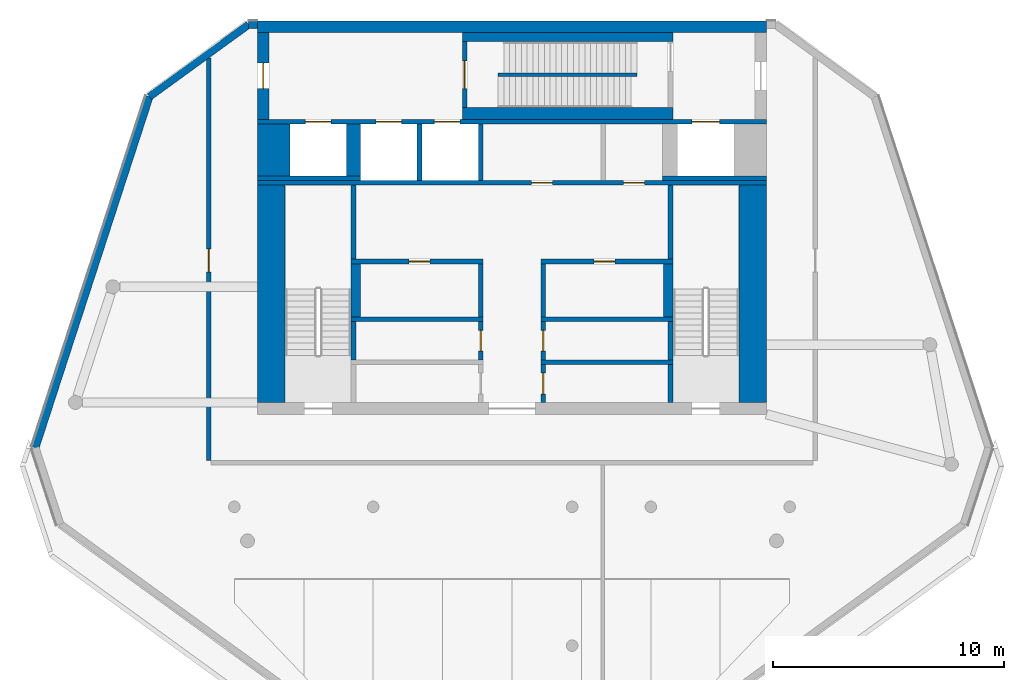
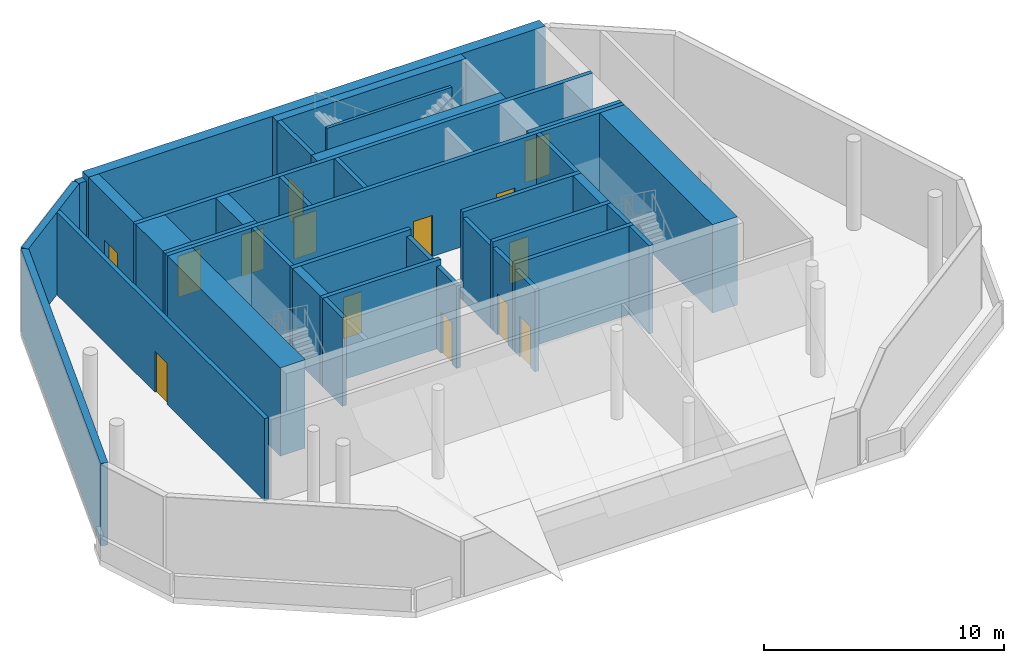
# One storey, part 2 of 7: 37 walls, 14 doors, 14 openings.
"""IFC4 building model written with IfcOpenShell, lengths in metres."""

from ifc_helpers import new_model, si_unit, direction, frame, frame_2d, origin, place, context, subcontext, project, spatial, rectangle, extrude, material, layer, layer_set, type_object, element, fill, save


model = new_model("IFC4")

# Units and contexts
model_context = context("Model", 3, precision=1e-05, world=origin(), true_north=direction((0.0, 1.0)))
body_context = subcontext(model_context, "Body", "Model", "MODEL_VIEW")
ifc_project = project(units=[si_unit("LENGTHUNIT", "METRE"), si_unit("AREAUNIT", "SQUARE_METRE"), si_unit("VOLUMEUNIT", "CUBIC_METRE"), si_unit("PLANEANGLEUNIT", "RADIAN"), si_unit("MASSUNIT", "GRAM", prefix="KILO")], contexts=[model_context])

# Site, building, storey
site_placement = place(None, origin())
site = spatial("IfcSite", under=ifc_project, at=site_placement, CompositionType="ELEMENT")
building_placement = place(site_placement, origin())
building = spatial("IfcBuilding", under=site, at=building_placement, Name="White Candle Pilgrim Tower", CompositionType="ELEMENT")
storey_placement = place(building_placement, frame((0.0, 0.0, 333.199951171875)))
storey = spatial("IfcBuildingStorey", under=building, at=storey_placement, Name="L78", CompositionType="ELEMENT", Elevation=333.199951171875)

# Walls
ifc_material_1 = material(Name="Concrete C40/50", Category="concrete")
ifc_layer_1 = layer(ifc_material_1, 1.39990234375)
ifc_layer_set_1 = layer_set([ifc_layer_1], Name="Core wall 1400 mm Concrete C40/50")
wall_type_1 = type_object("IfcWallType", Name="Core wall 1400 mm Concrete C40/50", PredefinedType="SHEAR", material=ifc_layer_set_1)
wall_1_placement = place(storey_placement, frame((59.699951171875, 81.300048828125, 0.0), z_axis=(0.0, 0.0, 1.0), x_axis=(0.0, 1.0, 0.0)))
element("IfcWall", 1, at=wall_1_placement, inside=storey, type_object=wall_type_1, Name="WL-L78-C30", PredefinedType="SHEAR", context=body_context, shape_type="SweptSolid", body=[
    extrude(rectangle(XDim=2.25, YDim=1.39990234375, at=frame_2d((1.125, 0.0))), origin(), (0.0, 0.0, 1.0), 4.5),
])
ifc_layer_2 = layer(ifc_material_1, 0.199951171875)
ifc_layer_set_2 = layer_set([ifc_layer_2], Name="Core wall 200 mm Concrete C40/50")
wall_type_2 = type_object("IfcWallType", Name="Core wall 200 mm Concrete C40/50", PredefinedType="SHEAR", material=ifc_layer_set_2)
wall_2_placement = place(storey_placement, frame((59.0, 81.199951171875, 0.0), z_axis=(0.0, 0.0, 1.0), x_axis=(1.0, 0.0, 0.0)))
element("IfcWall", 2, at=wall_2_placement, inside=storey, type_object=wall_type_2, Name="WL-L78-C25", PredefinedType="SHEAR", context=body_context, shape_type="SweptSolid", body=[
    extrude(rectangle(XDim=4.449951171875, YDim=0.199951171875, at=frame_2d((2.22509765625, 0.0))), origin(), (0.0, 0.0, 1.0), 4.5),
])
wall_3_placement = place(storey_placement, frame((76.5, 81.199951171875, 0.0), z_axis=(0.0, 0.0, 1.0), x_axis=(1.0, 0.0, 0.0)))
element("IfcWall", 3, at=wall_3_placement, inside=storey, type_object=wall_type_2, Name="WL-L78-C29", PredefinedType="SHEAR", context=body_context, shape_type="SweptSolid", body=[
    extrude(rectangle(XDim=4.5, YDim=0.199951171875, at=frame_2d((2.25, 0.0))), origin(), (0.0, 0.0, 1.0), 4.5),
])

# Wall, openings, doors
wall_4_placement = place(storey_placement, frame((59.0, 83.64990234375, 0.0), z_axis=(0.0, 0.0, 1.0), x_axis=(1.0, 0.0, 0.0)))
wall_4 = element("IfcWall", 4, at=wall_4_placement, inside=storey, type_object=wall_type_2, Name="WL-L78-C34", PredefinedType="SHEAR", context=body_context, shape_type="SweptSolid", body=[
    extrude(rectangle(XDim=22.0, YDim=0.199951171875, at=frame_2d((11.0, 0.0))), origin(), (0.0, 0.0, 1.0), 4.5),
])
opening_1_placement = place(wall_4_placement, frame((5.125, 0.0, 0.0)))
opening_1 = element("IfcOpeningElement", 5, at=opening_1_placement, cuts=wall_4, Name="Opening L78-012", PredefinedType="OPENING", context=body_context, shape_type="SweptSolid", body=[
    extrude(rectangle(XDim=1.10009765625, YDim=2.10009765625, at=frame_2d((0.550048828125, 1.050048828125))), frame((0.0, 0.10986328125, 0.0), z_axis=(0.0, -1.0, 0.0), x_axis=(1.0, 0.0, 0.0)), (0.0, 0.0, 1.0), 0.219970703125),
])
opening_2_placement = place(wall_4_placement, frame((7.64990234375, 0.0, 0.0)))
opening_2 = element("IfcOpeningElement", 6, at=opening_2_placement, cuts=wall_4, Name="Opening L78-013", PredefinedType="OPENING", context=body_context, shape_type="SweptSolid", body=[
    extrude(rectangle(XDim=1.10009765625, YDim=2.10009765625, at=frame_2d((0.550048828125, 1.050048828125))), frame((0.0, 0.10986328125, 0.0), z_axis=(0.0, -1.0, 0.0), x_axis=(1.0, 0.0, 0.0)), (0.0, 0.0, 1.0), 0.219970703125),
])
opening_3_placement = place(wall_4_placement, frame((18.77490234375, 0.0, 0.0)))
opening_3 = element("IfcOpeningElement", 7, at=opening_3_placement, cuts=wall_4, Name="Opening L78-014", PredefinedType="OPENING", context=body_context, shape_type="SweptSolid", body=[
    extrude(rectangle(XDim=1.199951171875, YDim=2.10009765625, at=frame_2d((0.60009765625, 1.050048828125))), frame((0.0, 0.10986328125, 0.0), z_axis=(0.0, -1.0, 0.0), x_axis=(1.0, 0.0, 0.0)), (0.0, 0.0, 1.0), 0.219970703125),
])
opening_4_placement = place(wall_4_placement, frame((2.074951171875, 0.0, 0.0)))
opening_4 = element("IfcOpeningElement", 8, at=opening_4_placement, cuts=wall_4, Name="Opening L78-015", PredefinedType="OPENING", context=body_context, shape_type="SweptSolid", body=[
    extrude(rectangle(XDim=1.10009765625, YDim=2.10009765625, at=frame_2d((0.550048828125, 1.050048828125))), frame((0.0, 0.10986328125, 0.0), z_axis=(0.0, -1.0, 0.0), x_axis=(1.0, 0.0, 0.0)), (0.0, 0.0, 1.0), 0.219970703125),
])
ifc_material_2 = material(Name="Stainless steel", Category="steel")
door_type_1 = type_object("IfcDoorType", Name="Lift landing door 1100 x 2100 EI 60", OperationType="DOUBLE_DOOR_SLIDING", PredefinedType="DOOR", material=ifc_material_2)
door_1_placement = place(opening_1_placement, origin())
door_1 = element("IfcDoor", 9, at=door_1_placement, inside=storey, type_object=door_type_1, Name="Door L78-012", OperationType="DOUBLE_DOOR_SLIDING", OverallHeight=2.10009765625, OverallWidth=1.10009765625, PredefinedType="DOOR", context=body_context, shape_type="SweptSolid", body=[
    extrude(rectangle(XDim=1.10009765625, YDim=2.10009765625, at=frame_2d((0.550048828125, 1.050048828125))), frame((0.0, 0.02490234375, 0.0), z_axis=(0.0, -1.0, 0.0), x_axis=(1.0, 0.0, 0.0)), (0.0, 0.0, 1.0), 0.050048828125),
])
fill(opening_1, door_1)
door_2_placement = place(opening_2_placement, origin())
door_2 = element("IfcDoor", 10, at=door_2_placement, inside=storey, type_object=door_type_1, Name="Door L78-013", OperationType="DOUBLE_DOOR_SLIDING", OverallHeight=2.10009765625, OverallWidth=1.10009765625, PredefinedType="DOOR", context=body_context, shape_type="SweptSolid", body=[
    extrude(rectangle(XDim=1.10009765625, YDim=2.10009765625, at=frame_2d((0.550048828125, 1.050048828125))), frame((0.0, 0.02490234375, 0.0), z_axis=(0.0, -1.0, 0.0), x_axis=(1.0, 0.0, 0.0)), (0.0, 0.0, 1.0), 0.050048828125),
])
fill(opening_2, door_2)
door_3_placement = place(opening_4_placement, origin())
door_3 = element("IfcDoor", 11, at=door_3_placement, inside=storey, type_object=door_type_1, Name="Door L78-015", OperationType="DOUBLE_DOOR_SLIDING", OverallHeight=2.10009765625, OverallWidth=1.10009765625, PredefinedType="DOOR", context=body_context, shape_type="SweptSolid", body=[
    extrude(rectangle(XDim=1.10009765625, YDim=2.10009765625, at=frame_2d((0.550048828125, 1.050048828125))), frame((0.0, 0.02490234375, 0.0), z_axis=(0.0, -1.0, 0.0), x_axis=(1.0, 0.0, 0.0)), (0.0, 0.0, 1.0), 0.050048828125),
])
fill(opening_4, door_3)
door_type_2 = type_object("IfcDoorType", Name="Lift landing door 1200 x 2100 E 60", OperationType="DOUBLE_DOOR_SLIDING", PredefinedType="DOOR", material=ifc_material_2)
door_4_placement = place(opening_3_placement, origin())
door_4 = element("IfcDoor", 12, at=door_4_placement, inside=storey, type_object=door_type_2, Name="Door L78-014", OperationType="DOUBLE_DOOR_SLIDING", OverallHeight=2.10009765625, OverallWidth=1.199951171875, PredefinedType="DOOR", context=body_context, shape_type="SweptSolid", body=[
    extrude(rectangle(XDim=1.199951171875, YDim=2.10009765625, at=frame_2d((0.60009765625, 1.050048828125))), frame((0.0, 0.02490234375, 0.0), z_axis=(0.0, -1.0, 0.0), x_axis=(1.0, 0.0, 0.0)), (0.0, 0.0, 1.0), 0.050048828125),
])
fill(opening_3, door_4)

# Wall, opening, door
ifc_layer_3 = layer(ifc_material_1, 0.5)
ifc_layer_set_3 = layer_set([ifc_layer_3], Name="Core wall 500 mm Concrete C40/50")
wall_type_3 = type_object("IfcWallType", Name="Core wall 500 mm Concrete C40/50", PredefinedType="SHEAR", material=ifc_layer_set_3)
wall_5_placement = place(storey_placement, frame((59.25, 83.75, 0.0), z_axis=(0.0, 0.0, 1.0), x_axis=(0.0, 1.0, 0.0)))
wall_5 = element("IfcWall", 13, at=wall_5_placement, inside=storey, type_object=wall_type_3, Name="WL-L78-C35", PredefinedType="SHEAR", context=body_context, shape_type="SweptSolid", body=[
    extrude(rectangle(XDim=3.75, YDim=0.5, at=frame_2d((1.875, 0.0))), origin(), (0.0, 0.0, 1.0), 4.5),
])
opening_5_placement = place(wall_5_placement, frame((1.324951171875, 0.0, 0.0)))
opening_5 = element("IfcOpeningElement", 14, at=opening_5_placement, cuts=wall_5, Name="Opening L78-010", PredefinedType="OPENING", context=body_context, shape_type="SweptSolid", body=[
    extrude(rectangle(XDim=1.10009765625, YDim=2.10009765625, at=frame_2d((0.550048828125, 1.050048828125))), frame((0.0, 0.260009765625, 0.0), z_axis=(0.0, -1.0, 0.0), x_axis=(1.0, 0.0, 0.0)), (0.0, 0.0, 1.0), 0.52001953125),
])
ifc_material_3 = material(Name="Steel door leaf", Category="steel")
door_type_3 = type_object("IfcDoorType", Name="Fire door 1100 x 2100 EI 60", OperationType="NOTDEFINED", PredefinedType="DOOR", material=ifc_material_3)
door_5_placement = place(opening_5_placement, origin())
door_5 = element("IfcDoor", 15, at=door_5_placement, inside=storey, type_object=door_type_3, Name="Door L78-010", OperationType="SINGLE_SWING_RIGHT", OverallHeight=2.10009765625, OverallWidth=1.10009765625, PredefinedType="DOOR", context=body_context, shape_type="SweptSolid", body=[
    extrude(rectangle(XDim=1.10009765625, YDim=2.10009765625, at=frame_2d((0.550048828125, 1.050048828125))), frame((0.0, 0.02490234375, 0.0), z_axis=(0.0, -1.0, 0.0), x_axis=(1.0, 0.0, 0.0)), (0.0, 0.0, 1.0), 0.050048828125),
])
fill(opening_5, door_5)

# Wall
wall_6_placement = place(storey_placement, frame((59.0, 87.75, 0.0), z_axis=(0.0, 0.0, 1.0), x_axis=(1.0, 0.0, 0.0)))
element("IfcWall", 16, at=wall_6_placement, inside=storey, type_object=wall_type_3, Name="WL-L78-C42", PredefinedType="SHEAR", context=body_context, shape_type="SweptSolid", body=[
    extrude(rectangle(XDim=22.0, YDim=0.5, at=frame_2d((11.0, 0.0))), origin(), (0.0, 0.0, 1.0), 4.5),
])

# Wall, opening, door
ifc_material_4 = material(Name="Gypsum board on steel studs", Category="steel")
ifc_layer_4 = layer(ifc_material_4, 0.199951171875)
ifc_layer_set_4 = layer_set([ifc_layer_4], Name="Corridor wall 200 mm EI 45")
wall_type_4 = type_object("IfcWallType", Name="Corridor wall 200 mm EI 45", PredefinedType="PARTITIONING", material=ifc_layer_set_4)
wall_7_placement = place(storey_placement, frame((56.89990234375, 69.0, 0.0), z_axis=(0.0, 0.0, 1.0), x_axis=(0.0, 1.0, 0.0)))
wall_7 = element("IfcWall", 17, at=wall_7_placement, inside=storey, type_object=wall_type_4, Name="WL-L78-P003", PredefinedType="PARTITIONING", context=body_context, shape_type="SweptSolid", body=[
    extrude(rectangle(XDim=17.396240234375, YDim=0.199951171875, at=frame_2d((8.6982421875, 0.0))), origin(), (0.0, 0.0, 1.0), 4.199951171875),
])
opening_6_placement = place(wall_7_placement, frame((8.148193359375, 0.0, 0.0)))
opening_6 = element("IfcOpeningElement", 18, at=opening_6_placement, cuts=wall_7, Name="Opening L78-101", PredefinedType="OPENING", context=body_context, shape_type="SweptSolid", body=[
    extrude(rectangle(XDim=1.0, YDim=2.10009765625, at=frame_2d((0.5, 1.050048828125))), frame((0.0, 0.10986328125, 0.0), z_axis=(0.0, -1.0, 0.0), x_axis=(1.0, 0.0, 0.0)), (0.0, 0.0, 1.0), 0.219970703125),
])
door_type_4 = type_object("IfcDoorType", Name="Fire door 1000 x 2100 EI 30", OperationType="NOTDEFINED", PredefinedType="DOOR", material=ifc_material_3)
door_6_placement = place(opening_6_placement, origin())
door_6 = element("IfcDoor", 19, at=door_6_placement, inside=storey, type_object=door_type_4, Name="Door L78-101", OperationType="SINGLE_SWING_LEFT", OverallHeight=2.10009765625, OverallWidth=1.0, PredefinedType="DOOR", context=body_context, shape_type="SweptSolid", body=[
    extrude(rectangle(XDim=1.0, YDim=2.10009765625, at=frame_2d((0.5, 1.050048828125))), frame((0.0, 0.02490234375, 0.0), z_axis=(0.0, -1.0, 0.0), x_axis=(1.0, 0.0, 0.0)), (0.0, 0.0, 1.0), 0.050048828125),
])
fill(opening_6, door_6)

# Walls
ifc_material_5 = material(Name="Precast concrete C40/50", Category="concrete")
ifc_layer_5 = layer(ifc_material_5, 0.320068359375)
ifc_layer_set_5 = layer_set([ifc_layer_5], Name="Facade wall EW4 precast concrete C40/50 crown wall with zinc cladding")
wall_type_5 = type_object("IfcWallType", Name="Facade wall EW4 precast concrete C40/50 crown wall with zinc cladding", PredefinedType="SOLIDWALL", material=ifc_layer_set_5)
wall_8_placement = place(storey_placement, frame((59.0, 87.840087890625, 0.0), z_axis=(0.0, 0.0, 1.0), x_axis=(-1.0, 0.0, 0.0)))
element("IfcWall", 20, at=wall_8_placement, inside=storey, type_object=wall_type_5, Name="Crown wall L78 N", PredefinedType="SOLIDWALL", context=body_context, shape_type="SweptSolid", body=[
    extrude(rectangle(XDim=0.385009765625, YDim=0.320068359375, at=frame_2d((0.1923828125, 0.0))), origin(), (0.0, 0.0, 1.0), 4.199951171875),
])
wall_9_placement = place(storey_placement, frame((58.614990234375, 87.840087890625, 0.0), z_axis=(0.0, 0.0, 1.0), x_axis=(-0.808993209203, -0.587817988381, 0.0)))
element("IfcWall", 21, at=wall_9_placement, inside=storey, type_object=wall_type_5, Name="Crown wall L78 NW chamfer", PredefinedType="SOLIDWALL", context=body_context, shape_type="SweptSolid", body=[
    extrude(rectangle(XDim=5.295166015625, YDim=0.320068359375, at=frame_2d((2.6474609375, 0.0))), origin(), (0.0, 0.0, 1.0), 4.199951171875),
])
wall_10_placement = place(storey_placement, frame((54.331298828125, 84.7275390625, 0.0), z_axis=(0.0, 0.0, 1.0), x_axis=(-0.309028974627, -0.951052623592, 0.0)))
element("IfcWall", 22, at=wall_10_placement, inside=storey, type_object=wall_type_5, Name="Crown wall L78 WNW", PredefinedType="SOLIDWALL", context=body_context, shape_type="SweptSolid", body=[
    extrude(rectangle(XDim=15.952880859375, YDim=0.320068359375, at=frame_2d((7.9765625, 0.0))), origin(), (0.0, 0.0, 1.0), 4.199951171875),
])

# Wall, opening, door
ifc_layer_6 = layer(ifc_material_4, 0.199951171875)
ifc_layer_set_6 = layer_set([ifc_layer_6], Name="Lobby wall 200 mm EI 60")
wall_type_6 = type_object("IfcWallType", Name="Lobby wall 200 mm EI 60", PredefinedType="PARTITIONING", material=ifc_layer_set_6)
wall_11_placement = place(storey_placement, frame((71.35009765625, 71.5, 0.0), z_axis=(0.0, 0.0, 1.0), x_axis=(0.0, 1.0, 0.0)))
wall_11 = element("IfcWall", 23, at=wall_11_placement, inside=storey, type_object=wall_type_6, Name="WL-L78-C05", PredefinedType="PARTITIONING", context=body_context, shape_type="SweptSolid", body=[
    extrude(rectangle(XDim=1.64990234375, YDim=0.199951171875, at=frame_2d((0.824951171875, 0.0))), origin(), (0.0, 0.0, 1.0), 4.199951171875),
])
opening_7_placement = place(wall_11_placement, frame((0.375, 0.0, 0.0)))
opening_7 = element("IfcOpeningElement", 24, at=opening_7_placement, cuts=wall_11, Name="Opening L78-008", PredefinedType="OPENING", context=body_context, shape_type="SweptSolid", body=[
    extrude(rectangle(XDim=0.89990234375, YDim=2.10009765625, at=frame_2d((0.449951171875, 1.050048828125))), frame((0.0, 0.10986328125, 0.0), z_axis=(0.0, -1.0, 0.0), x_axis=(1.0, 0.0, 0.0)), (0.0, 0.0, 1.0), 0.219970703125),
])
door_type_5 = type_object("IfcDoorType", Name="Fire door 900 x 2100 EI 30", OperationType="NOTDEFINED", PredefinedType="DOOR", material=ifc_material_3)
door_7_placement = place(opening_7_placement, origin())
door_7 = element("IfcDoor", 25, at=door_7_placement, inside=storey, type_object=door_type_5, Name="Door L78-008", OperationType="SINGLE_SWING_RIGHT", OverallHeight=2.10009765625, OverallWidth=0.89990234375, PredefinedType="DOOR", context=body_context, shape_type="SweptSolid", body=[
    extrude(rectangle(XDim=0.89990234375, YDim=2.10009765625, at=frame_2d((0.449951171875, 1.050048828125))), frame((0.0, 0.02490234375, 0.0), z_axis=(0.0, -1.0, 0.0), x_axis=(1.0, 0.0, 0.0)), (0.0, 0.0, 1.0), 0.050048828125),
])
fill(opening_7, door_7)

wall_12_placement = place(storey_placement, frame((68.64990234375, 73.35009765625, 0.0), z_axis=(0.0, 0.0, 1.0), x_axis=(0.0, 1.0, 0.0)))
wall_12 = element("IfcWall", 26, at=wall_12_placement, inside=storey, type_object=wall_type_6, Name="WL-L78-C11", PredefinedType="PARTITIONING", context=body_context, shape_type="SweptSolid", body=[
    extrude(rectangle(XDim=1.64990234375, YDim=0.199951171875, at=frame_2d((0.824951171875, 0.0))), origin(), (0.0, 0.0, 1.0), 4.199951171875),
])
opening_8_placement = place(wall_12_placement, frame((0.375, 0.0, 0.0)))
opening_8 = element("IfcOpeningElement", 27, at=opening_8_placement, cuts=wall_12, Name="Opening L78-007", PredefinedType="OPENING", context=body_context, shape_type="SweptSolid", body=[
    extrude(rectangle(XDim=0.89990234375, YDim=2.10009765625, at=frame_2d((0.449951171875, 1.050048828125))), frame((0.0, 0.10986328125, 0.0), z_axis=(0.0, -1.0, 0.0), x_axis=(1.0, 0.0, 0.0)), (0.0, 0.0, 1.0), 0.219970703125),
])
door_8_placement = place(opening_8_placement, origin())
door_8 = element("IfcDoor", 28, at=door_8_placement, inside=storey, type_object=door_type_5, Name="Door L78-007", OperationType="SINGLE_SWING_LEFT", OverallHeight=2.10009765625, OverallWidth=0.89990234375, PredefinedType="DOOR", context=body_context, shape_type="SweptSolid", body=[
    extrude(rectangle(XDim=0.89990234375, YDim=2.10009765625, at=frame_2d((0.449951171875, 1.050048828125))), frame((0.0, 0.02490234375, 0.0), z_axis=(0.0, -1.0, 0.0), x_axis=(1.0, 0.0, 0.0)), (0.0, 0.0, 1.0), 0.050048828125),
])
fill(opening_8, door_8)

wall_13_placement = place(storey_placement, frame((71.35009765625, 73.35009765625, 0.0), z_axis=(0.0, 0.0, 1.0), x_axis=(0.0, 1.0, 0.0)))
wall_13 = element("IfcWall", 29, at=wall_13_placement, inside=storey, type_object=wall_type_6, Name="WL-L78-C12", PredefinedType="PARTITIONING", context=body_context, shape_type="SweptSolid", body=[
    extrude(rectangle(XDim=1.64990234375, YDim=0.199951171875, at=frame_2d((0.824951171875, 0.0))), origin(), (0.0, 0.0, 1.0), 4.199951171875),
])
opening_9_placement = place(wall_13_placement, frame((0.375, 0.0, 0.0)))
opening_9 = element("IfcOpeningElement", 30, at=opening_9_placement, cuts=wall_13, Name="Opening L78-009", PredefinedType="OPENING", context=body_context, shape_type="SweptSolid", body=[
    extrude(rectangle(XDim=0.89990234375, YDim=2.10009765625, at=frame_2d((0.449951171875, 1.050048828125))), frame((0.0, 0.10986328125, 0.0), z_axis=(0.0, -1.0, 0.0), x_axis=(1.0, 0.0, 0.0)), (0.0, 0.0, 1.0), 0.219970703125),
])
door_9_placement = place(opening_9_placement, origin())
door_9 = element("IfcDoor", 31, at=door_9_placement, inside=storey, type_object=door_type_5, Name="Door L78-009", OperationType="SINGLE_SWING_LEFT", OverallHeight=2.10009765625, OverallWidth=0.89990234375, PredefinedType="DOOR", context=body_context, shape_type="SweptSolid", body=[
    extrude(rectangle(XDim=0.89990234375, YDim=2.10009765625, at=frame_2d((0.449951171875, 1.050048828125))), frame((0.0, 0.02490234375, 0.0), z_axis=(0.0, -1.0, 0.0), x_axis=(1.0, 0.0, 0.0)), (0.0, 0.0, 1.0), 0.050048828125),
])
fill(opening_9, door_9)

# Walls
for number, where, z_axis, x_axis, name in (
    (32, (68.64990234375, 75.199951171875, 0.0), (0.0, 0.0, 1.0), (0.0, 1.0, 0.0), "WL-L78-C17"),
    (33, (71.35009765625, 75.199951171875, 0.0), (0.0, 0.0, 1.0), (0.0, 1.0, 0.0), "WL-L78-C18"),
):
    element("IfcWall", number, at=place(storey_placement, frame(where, z_axis=z_axis, x_axis=x_axis)), inside=storey, type_object=wall_type_6, Name=name, PredefinedType="PARTITIONING", context=body_context, shape_type="SweptSolid", body=[
        extrude(rectangle(XDim=2.300048828125, YDim=0.199951171875, at=frame_2d((1.14990234375, 0.0))), origin(), (0.0, 0.0, 1.0), 4.199951171875),
    ])
ifc_layer_7 = layer(ifc_material_1, 0.199951171875)
ifc_layer_set_7 = layer_set([ifc_layer_7], Name="Shaft wall 200 mm Concrete C40/50")
wall_type_7 = type_object("IfcWallType", Name="Shaft wall 200 mm Concrete C40/50", PredefinedType="SHEAR", material=ifc_layer_set_7)
for number, where, z_axis, x_axis, name in (
    (34, (66.0, 81.10009765625, 0.0), (0.0, 0.0, 1.0), (0.0, 1.0, 0.0), "WL-L78-C26"),
    (35, (68.64990234375, 81.10009765625, 0.0), (0.0, 0.0, 1.0), (0.0, 1.0, 0.0), "WL-L78-C27"),
):
    element("IfcWall", number, at=place(storey_placement, frame(where, z_axis=z_axis, x_axis=x_axis)), inside=storey, type_object=wall_type_7, Name=name, PredefinedType="SHEAR", context=body_context, shape_type="SweptSolid", body=[
        extrude(rectangle(XDim=2.449951171875, YDim=0.199951171875, at=frame_2d((1.22509765625, 0.0))), origin(), (0.0, 0.0, 1.0), 4.5),
    ])
ifc_layer_8 = layer(ifc_material_1, 0.60009765625)
ifc_layer_set_8 = layer_set([ifc_layer_8], Name="Shaft wall 600 mm Concrete C40/50")
wall_type_8 = type_object("IfcWallType", Name="Shaft wall 600 mm Concrete C40/50", PredefinedType="SHEAR", material=ifc_layer_set_8)
wall_14_placement = place(storey_placement, frame((63.14990234375, 81.300048828125, 0.0), z_axis=(0.0, 0.0, 1.0), x_axis=(0.0, 1.0, 0.0)))
element("IfcWall", 36, at=wall_14_placement, inside=storey, type_object=wall_type_8, Name="WL-L78-C31", PredefinedType="SHEAR", context=body_context, shape_type="SweptSolid", body=[
    extrude(rectangle(XDim=2.25, YDim=0.60009765625, at=frame_2d((1.125, 0.0))), origin(), (0.0, 0.0, 1.0), 4.5),
])
ifc_layer_9 = layer(ifc_material_1, 1.199951171875)
ifc_layer_set_9 = layer_set([ifc_layer_9], Name="Stair shaft wall 1200 mm Concrete C40/50")
wall_type_9 = type_object("IfcWallType", Name="Stair shaft wall 1200 mm Concrete C40/50", PredefinedType="SHEAR", material=ifc_layer_set_9)
for number, where, z_axis, x_axis, name in (
    (37, (59.60009765625, 71.5, 0.0), (0.0, 0.0, 1.0), (0.0, 1.0, 0.0), "WL-L78-C02"),
    (38, (80.39990234375, 71.5, 0.0), (0.0, 0.0, 1.0), (0.0, 1.0, 0.0), "WL-L78-C07"),
):
    element("IfcWall", number, at=place(storey_placement, frame(where, z_axis=z_axis, x_axis=x_axis)), inside=storey, type_object=wall_type_9, Name=name, PredefinedType="SHEAR", context=body_context, shape_type="SweptSolid", body=[
        extrude(rectangle(XDim=9.39990234375, YDim=1.199951171875, at=frame_2d((4.699951171875, 0.0))), origin(), (0.0, 0.0, 1.0), 4.5),
    ])
ifc_layer_10 = layer(ifc_material_1, 0.14990234375)
ifc_layer_set_10 = layer_set([ifc_layer_10], Name="Stair shaft wall 150 mm Concrete C40/50")
wall_type_10 = type_object("IfcWallType", Name="Stair shaft wall 150 mm Concrete C40/50", PredefinedType="SHEAR", material=ifc_layer_set_10)
wall_15_placement = place(storey_placement, frame((69.39990234375, 85.675048828125, 0.0), z_axis=(0.0, 0.0, 1.0), x_axis=(1.0, 0.0, 0.0)))
element("IfcWall", 39, at=wall_15_placement, inside=storey, type_object=wall_type_10, Name="WL-L78-C40", PredefinedType="SHEAR", context=body_context, shape_type="SweptSolid", body=[
    extrude(rectangle(XDim=6.0, YDim=0.14990234375, at=frame_2d((3.0, 0.0))), origin(), (0.0, 0.0, 1.0), 4.5),
])
ifc_layer_11 = layer(ifc_material_1, 0.199951171875)
ifc_layer_set_11 = layer_set([ifc_layer_11], Name="Stair shaft wall 200 mm Concrete C40/50")
wall_type_11 = type_object("IfcWallType", Name="Stair shaft wall 200 mm Concrete C40/50", PredefinedType="SHEAR", material=ifc_layer_set_11)
wall_16_placement = place(storey_placement, frame((76.85009765625, 71.5, 0.0), z_axis=(0.0, 0.0, 1.0), x_axis=(0.0, 1.0, 0.0)))
element("IfcWall", 40, at=wall_16_placement, inside=storey, type_object=wall_type_11, Name="WL-L78-C06", PredefinedType="SHEAR", context=body_context, shape_type="SweptSolid", body=[
    extrude(rectangle(XDim=1.64990234375, YDim=0.199951171875, at=frame_2d((0.824951171875, 0.0))), origin(), (0.0, 0.0, 1.0), 4.5),
])
wall_17_placement = place(storey_placement, frame((71.25, 73.25, 0.0), z_axis=(0.0, 0.0, 1.0), x_axis=(1.0, 0.0, 0.0)))
element("IfcWall", 41, at=wall_17_placement, inside=storey, type_object=wall_type_11, Name="WL-L78-C09", PredefinedType="SHEAR", context=body_context, shape_type="SweptSolid", body=[
    extrude(rectangle(XDim=5.699951171875, YDim=0.199951171875, at=frame_2d((2.85009765625, 0.0))), origin(), (0.0, 0.0, 1.0), 4.5),
])
for number, where, z_axis, x_axis, name in (
    (42, (63.14990234375, 73.35009765625, 0.0), (0.0, 0.0, 1.0), (0.0, 1.0, 0.0), "WL-L78-C10"),
    (43, (76.85009765625, 73.35009765625, 0.0), (0.0, 0.0, 1.0), (0.0, 1.0, 0.0), "WL-L78-C13"),
):
    element("IfcWall", number, at=place(storey_placement, frame(where, z_axis=z_axis, x_axis=x_axis)), inside=storey, type_object=wall_type_11, Name=name, PredefinedType="SHEAR", context=body_context, shape_type="SweptSolid", body=[
        extrude(rectangle(XDim=1.64990234375, YDim=0.199951171875, at=frame_2d((0.824951171875, 0.0))), origin(), (0.0, 0.0, 1.0), 4.5),
    ])
for number, where, z_axis, x_axis, name in (
    (44, (63.050048828125, 75.10009765625, 0.0), (0.0, 0.0, 1.0), (1.0, 0.0, 0.0), "WL-L78-C14"),
    (45, (71.25, 75.10009765625, 0.0), (0.0, 0.0, 1.0), (1.0, 0.0, 0.0), "WL-L78-C15"),
):
    element("IfcWall", number, at=place(storey_placement, frame(where, z_axis=z_axis, x_axis=x_axis)), inside=storey, type_object=wall_type_11, Name=name, PredefinedType="SHEAR", context=body_context, shape_type="SweptSolid", body=[
        extrude(rectangle(XDim=5.699951171875, YDim=0.199951171875, at=frame_2d((2.85009765625, 0.0))), origin(), (0.0, 0.0, 1.0), 4.5),
    ])

# Wall, opening, door
wall_18_placement = place(storey_placement, frame((63.050048828125, 77.60009765625, 0.0), z_axis=(0.0, 0.0, 1.0), x_axis=(1.0, 0.0, 0.0)))
wall_18 = element("IfcWall", 46, at=wall_18_placement, inside=storey, type_object=wall_type_11, Name="WL-L78-C20", PredefinedType="SHEAR", context=body_context, shape_type="SweptSolid", body=[
    extrude(rectangle(XDim=5.699951171875, YDim=0.199951171875, at=frame_2d((2.85009765625, 0.0))), origin(), (0.0, 0.0, 1.0), 4.5),
])
opening_10_placement = place(wall_18_placement, frame((2.5, 0.0, 0.0)))
opening_10 = element("IfcOpeningElement", 47, at=opening_10_placement, cuts=wall_18, Name="Opening L78-016", PredefinedType="OPENING", context=body_context, shape_type="SweptSolid", body=[
    extrude(rectangle(XDim=0.89990234375, YDim=2.10009765625, at=frame_2d((0.449951171875, 1.050048828125))), frame((0.0, 0.10986328125, 0.0), z_axis=(0.0, -1.0, 0.0), x_axis=(1.0, 0.0, 0.0)), (0.0, 0.0, 1.0), 0.219970703125),
])
door_10_placement = place(opening_10_placement, origin())
door_10 = element("IfcDoor", 48, at=door_10_placement, inside=storey, type_object=door_type_5, Name="Door L78-016", OperationType="SINGLE_SWING_RIGHT", OverallHeight=2.10009765625, OverallWidth=0.89990234375, PredefinedType="DOOR", context=body_context, shape_type="SweptSolid", body=[
    extrude(rectangle(XDim=0.89990234375, YDim=2.10009765625, at=frame_2d((0.449951171875, 1.050048828125))), frame((0.0, 0.02490234375, 0.0), z_axis=(0.0, -1.0, 0.0), x_axis=(1.0, 0.0, 0.0)), (0.0, 0.0, 1.0), 0.050048828125),
])
fill(opening_10, door_10)

wall_19_placement = place(storey_placement, frame((71.25, 77.60009765625, 0.0), z_axis=(0.0, 0.0, 1.0), x_axis=(1.0, 0.0, 0.0)))
wall_19 = element("IfcWall", 49, at=wall_19_placement, inside=storey, type_object=wall_type_11, Name="WL-L78-C21", PredefinedType="SHEAR", context=body_context, shape_type="SweptSolid", body=[
    extrude(rectangle(XDim=5.699951171875, YDim=0.199951171875, at=frame_2d((2.85009765625, 0.0))), origin(), (0.0, 0.0, 1.0), 4.5),
])
opening_11_placement = place(wall_19_placement, frame((2.300048828125, 0.0, 0.0)))
opening_11 = element("IfcOpeningElement", 50, at=opening_11_placement, cuts=wall_19, Name="Opening L78-017", PredefinedType="OPENING", context=body_context, shape_type="SweptSolid", body=[
    extrude(rectangle(XDim=0.89990234375, YDim=2.10009765625, at=frame_2d((0.449951171875, 1.050048828125))), frame((0.0, 0.10986328125, 0.0), z_axis=(0.0, -1.0, 0.0), x_axis=(1.0, 0.0, 0.0)), (0.0, 0.0, 1.0), 0.219970703125),
])
door_11_placement = place(opening_11_placement, origin())
door_11 = element("IfcDoor", 51, at=door_11_placement, inside=storey, type_object=door_type_5, Name="Door L78-017", OperationType="SINGLE_SWING_LEFT", OverallHeight=2.10009765625, OverallWidth=0.89990234375, PredefinedType="DOOR", context=body_context, shape_type="SweptSolid", body=[
    extrude(rectangle(XDim=0.89990234375, YDim=2.10009765625, at=frame_2d((0.449951171875, 1.050048828125))), frame((0.0, 0.02490234375, 0.0), z_axis=(0.0, -1.0, 0.0), x_axis=(1.0, 0.0, 0.0)), (0.0, 0.0, 1.0), 0.050048828125),
])
fill(opening_11, door_11)

# Walls
for number, where, z_axis, x_axis, name in (
    (52, (63.14990234375, 77.699951171875, 0.0), (0.0, 0.0, 1.0), (0.0, 1.0, 0.0), "WL-L78-C22"),
    (53, (76.85009765625, 77.699951171875, 0.0), (0.0, 0.0, 1.0), (0.0, 1.0, 0.0), "WL-L78-C23"),
):
    element("IfcWall", number, at=place(storey_placement, frame(where, z_axis=z_axis, x_axis=x_axis)), inside=storey, type_object=wall_type_11, Name=name, PredefinedType="SHEAR", context=body_context, shape_type="SweptSolid", body=[
        extrude(rectangle(XDim=3.199951171875, YDim=0.199951171875, at=frame_2d((1.60009765625, 0.0))), origin(), (0.0, 0.0, 1.0), 4.5),
    ])

# Wall, openings, doors
wall_20_placement = place(storey_placement, frame((59.0, 81.0, 0.0), z_axis=(0.0, 0.0, 1.0), x_axis=(1.0, 0.0, 0.0)))
wall_20 = element("IfcWall", 54, at=wall_20_placement, inside=storey, type_object=wall_type_11, Name="WL-L78-C24", PredefinedType="SHEAR", context=body_context, shape_type="SweptSolid", body=[
    extrude(rectangle(XDim=22.0, YDim=0.199951171875, at=frame_2d((11.0, 0.0))), origin(), (0.0, 0.0, 1.0), 4.5),
])
opening_12_placement = place(wall_20_placement, frame((11.85009765625, 0.0, 0.0)))
opening_12 = element("IfcOpeningElement", 55, at=opening_12_placement, cuts=wall_20, Name="Opening L78-018", PredefinedType="OPENING", context=body_context, shape_type="SweptSolid", body=[
    extrude(rectangle(XDim=0.89990234375, YDim=2.10009765625, at=frame_2d((0.449951171875, 1.050048828125))), frame((0.0, 0.10986328125, 0.0), z_axis=(0.0, -1.0, 0.0), x_axis=(1.0, 0.0, 0.0)), (0.0, 0.0, 1.0), 0.219970703125),
])
opening_13_placement = place(wall_20_placement, frame((15.824951171875, 0.0, 0.0)))
opening_13 = element("IfcOpeningElement", 56, at=opening_13_placement, cuts=wall_20, Name="Opening L78-019", PredefinedType="OPENING", context=body_context, shape_type="SweptSolid", body=[
    extrude(rectangle(XDim=0.89990234375, YDim=2.10009765625, at=frame_2d((0.449951171875, 1.050048828125))), frame((0.0, 0.10986328125, 0.0), z_axis=(0.0, -1.0, 0.0), x_axis=(1.0, 0.0, 0.0)), (0.0, 0.0, 1.0), 0.219970703125),
])
door_12_placement = place(opening_12_placement, origin())
door_12 = element("IfcDoor", 57, at=door_12_placement, inside=storey, type_object=door_type_5, Name="Door L78-018", OperationType="SINGLE_SWING_RIGHT", OverallHeight=2.10009765625, OverallWidth=0.89990234375, PredefinedType="DOOR", context=body_context, shape_type="SweptSolid", body=[
    extrude(rectangle(XDim=0.89990234375, YDim=2.10009765625, at=frame_2d((0.449951171875, 1.050048828125))), frame((0.0, 0.02490234375, 0.0), z_axis=(0.0, -1.0, 0.0), x_axis=(1.0, 0.0, 0.0)), (0.0, 0.0, 1.0), 0.050048828125),
])
fill(opening_12, door_12)
door_13_placement = place(opening_13_placement, origin())
door_13 = element("IfcDoor", 58, at=door_13_placement, inside=storey, type_object=door_type_5, Name="Door L78-019", OperationType="SINGLE_SWING_LEFT", OverallHeight=2.10009765625, OverallWidth=0.89990234375, PredefinedType="DOOR", context=body_context, shape_type="SweptSolid", body=[
    extrude(rectangle(XDim=0.89990234375, YDim=2.10009765625, at=frame_2d((0.449951171875, 1.050048828125))), frame((0.0, 0.02490234375, 0.0), z_axis=(0.0, -1.0, 0.0), x_axis=(1.0, 0.0, 0.0)), (0.0, 0.0, 1.0), 0.050048828125),
])
fill(opening_13, door_13)

# Wall, opening, door
wall_21_placement = place(storey_placement, frame((67.949951171875, 84.25, 0.0), z_axis=(0.0, 0.0, 1.0), x_axis=(0.0, 1.0, 0.0)))
wall_21 = element("IfcWall", 59, at=wall_21_placement, inside=storey, type_object=wall_type_11, Name="WL-L78-C38", PredefinedType="SHEAR", context=body_context, shape_type="SweptSolid", body=[
    extrude(rectangle(XDim=2.85009765625, YDim=0.199951171875, at=frame_2d((1.425048828125, 0.0))), origin(), (0.0, 0.0, 1.0), 4.5),
])
opening_14_placement = place(wall_21_placement, frame((0.824951171875, 0.0, 0.0)))
opening_14 = element("IfcOpeningElement", 60, at=opening_14_placement, cuts=wall_21, Name="Opening L78-003", PredefinedType="OPENING", context=body_context, shape_type="SweptSolid", body=[
    extrude(rectangle(XDim=1.199951171875, YDim=2.10009765625, at=frame_2d((0.60009765625, 1.050048828125))), frame((0.0, 0.10986328125, 0.0), z_axis=(0.0, -1.0, 0.0), x_axis=(1.0, 0.0, 0.0)), (0.0, 0.0, 1.0), 0.219970703125),
])
door_type_6 = type_object("IfcDoorType", Name="Fire door 1200 x 2100 EI 60", OperationType="NOTDEFINED", PredefinedType="DOOR", material=ifc_material_3)
door_14_placement = place(opening_14_placement, frame((1.199951171875, 0.0, 0.0), z_axis=(0.0, 0.0, 1.0), x_axis=(-1.0, 0.0, 0.0)))
door_14 = element("IfcDoor", 61, at=door_14_placement, inside=storey, type_object=door_type_6, Name="Door L78-003", OperationType="SINGLE_SWING_RIGHT", OverallHeight=2.10009765625, OverallWidth=1.199951171875, PredefinedType="DOOR", context=body_context, shape_type="SweptSolid", body=[
    extrude(rectangle(XDim=1.199951171875, YDim=2.10009765625, at=frame_2d((0.60009765625, 1.050048828125))), frame((0.0, 0.02490234375, 0.0), z_axis=(0.0, -1.0, 0.0), x_axis=(1.0, 0.0, 0.0)), (0.0, 0.0, 1.0), 0.050048828125),
])
fill(opening_14, door_14)

# Walls
ifc_layer_12 = layer(ifc_material_1, 0.39990234375)
ifc_layer_set_12 = layer_set([ifc_layer_12], Name="Stair shaft wall 400 mm Concrete C40/50")
wall_type_12 = type_object("IfcWallType", Name="Stair shaft wall 400 mm Concrete C40/50", PredefinedType="SHEAR", material=ifc_layer_set_12)
for number, where, z_axis, x_axis, name in (
    (62, (63.25, 75.199951171875, 0.0), (0.0, 0.0, 1.0), (0.0, 1.0, 0.0), "WL-L78-C16"),
    (63, (76.75, 75.199951171875, 0.0), (0.0, 0.0, 1.0), (0.0, 1.0, 0.0), "WL-L78-C19"),
):
    element("IfcWall", number, at=place(storey_placement, frame(where, z_axis=z_axis, x_axis=x_axis)), inside=storey, type_object=wall_type_12, Name=name, PredefinedType="SHEAR", context=body_context, shape_type="SweptSolid", body=[
        extrude(rectangle(XDim=2.300048828125, YDim=0.39990234375, at=frame_2d((1.14990234375, 0.0))), origin(), (0.0, 0.0, 1.0), 4.5),
    ])
wall_22_placement = place(storey_placement, frame((67.85009765625, 87.300048828125, 0.0), z_axis=(0.0, 0.0, 1.0), x_axis=(1.0, 0.0, 0.0)))
element("IfcWall", 64, at=wall_22_placement, inside=storey, type_object=wall_type_12, Name="WL-L78-C41", PredefinedType="SHEAR", context=body_context, shape_type="SweptSolid", body=[
    extrude(rectangle(XDim=9.099853515625, YDim=0.39990234375, at=frame_2d((4.5498046875, 0.0))), origin(), (0.0, 0.0, 1.0), 4.5),
])
ifc_layer_13 = layer(ifc_material_1, 0.5)
ifc_layer_set_13 = layer_set([ifc_layer_13], Name="Stair shaft wall 500 mm Concrete C40/50")
wall_type_13 = type_object("IfcWallType", Name="Stair shaft wall 500 mm Concrete C40/50", PredefinedType="SHEAR", material=ifc_layer_set_13)
wall_23_placement = place(storey_placement, frame((67.85009765625, 84.0, 0.0), z_axis=(0.0, 0.0, 1.0), x_axis=(1.0, 0.0, 0.0)))
element("IfcWall", 65, at=wall_23_placement, inside=storey, type_object=wall_type_13, Name="WL-L78-C36", PredefinedType="SHEAR", context=body_context, shape_type="SweptSolid", body=[
    extrude(rectangle(XDim=9.099853515625, YDim=0.5, at=frame_2d((4.5498046875, 0.0))), origin(), (0.0, 0.0, 1.0), 4.5),
])

save(model, "model.ifc")
